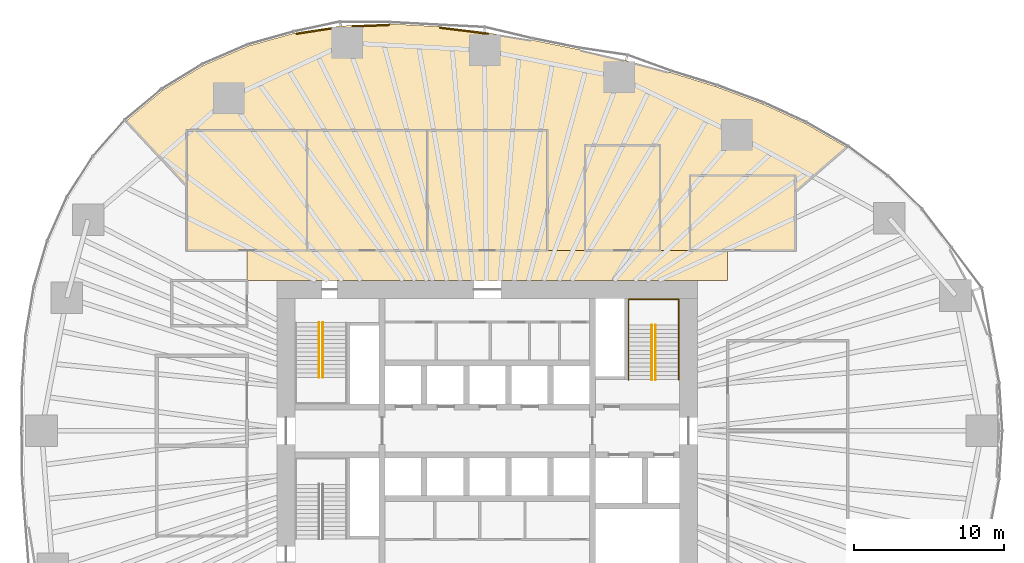
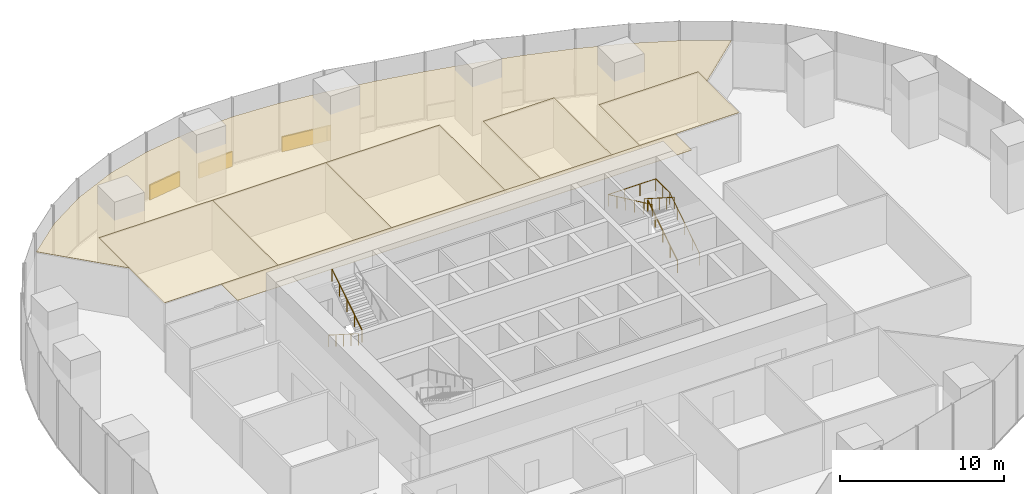
# One storey, part 19 of 20: 11 coverings, 5 railings.
"""IFC4 building model written with IfcOpenShell, lengths in metres."""

from ifc_helpers import new_model, si_unit, direction, frame, origin, origin_2d, place, context, subcontext, project, spatial, polyline, rectangle, circle, outline, extrude, material, layer, layer_set, type_object, element, save


model = new_model("IFC4")

# Units and contexts
model_context = context("Model", 3, precision=1e-05, world=origin(), true_north=direction((0.0, 1.0)))
body_context = subcontext(model_context, "Body", "Model", "MODEL_VIEW")
ifc_project = project(units=[si_unit("LENGTHUNIT", "METRE"), si_unit("AREAUNIT", "SQUARE_METRE"), si_unit("VOLUMEUNIT", "CUBIC_METRE"), si_unit("PLANEANGLEUNIT", "RADIAN"), si_unit("MASSUNIT", "GRAM", prefix="KILO")], contexts=[model_context])

# Site, building, storey
site_placement = place(None, origin())
site = spatial("IfcSite", under=ifc_project, at=site_placement, CompositionType="ELEMENT")
building_placement = place(site_placement, origin())
building = spatial("IfcBuilding", under=site, at=building_placement, Name="Ghaith Harvest Tower", CompositionType="ELEMENT")
storey_placement = place(building_placement, frame((0.0, 0.0, 35.0)))
storey = spatial("IfcBuildingStorey", under=building, at=storey_placement, Name="L07", CompositionType="ELEMENT", Elevation=35.0)

# Coverings
ifc_material_1 = material(Name="Mineral fibre ceiling tile", Category="gypsum")
ifc_layer_1 = layer(ifc_material_1, 0.02490234375)
ifc_layer_set_1 = layer_set([ifc_layer_1], Name="CEILING C2")
covering_type_1 = type_object("IfcCoveringType", Name="CEILING C2", PredefinedType="CEILING", material=ifc_layer_set_1)
covering_1_placement = place(storey_placement, frame((0.0, 0.0, 3.60009765625)))
element("IfcCovering", 1, at=covering_1_placement, inside=storey, type_object=covering_type_1, Name="Ceiling L07-01", PredefinedType="CEILING", context=body_context, shape_type="SweptSolid", body=[
    extrude(outline(polyline([(-20.0, 12.0), (-12.0, 12.0), (-12.0, 20.0), (-20.0, 20.0), (-20.0, 12.0)])), origin(), (0.0, 0.0, 1.0), 0.02490234375),
])
covering_2_placement = place(storey_placement, frame((0.0, 0.0, 3.60009765625)))
element("IfcCovering", 2, at=covering_2_placement, inside=storey, type_object=covering_type_1, Name="Ceiling L07-02", PredefinedType="CEILING", context=body_context, shape_type="SweptSolid", body=[
    extrude(outline(polyline([(-12.0, 12.0), (-4.0, 12.0), (-4.0, 20.0), (-12.0, 20.0), (-12.0, 12.0)])), origin(), (0.0, 0.0, 1.0), 0.02490234375),
])
covering_3_placement = place(storey_placement, frame((0.0, 0.0, 3.60009765625)))
element("IfcCovering", 3, at=covering_3_placement, inside=storey, type_object=covering_type_1, Name="Ceiling L07-03", PredefinedType="CEILING", context=body_context, shape_type="SweptSolid", body=[
    extrude(outline(polyline([(-4.0, 12.0), (4.0, 12.0), (4.0, 20.0), (-4.0, 20.0), (-4.0, 12.0)])), origin(), (0.0, 0.0, 1.0), 0.02490234375),
])
covering_4_placement = place(storey_placement, frame((0.0, 0.0, 3.60009765625)))
element("IfcCovering", 4, at=covering_4_placement, inside=storey, type_object=covering_type_1, Name="Ceiling L07-04", PredefinedType="CEILING", context=body_context, shape_type="SweptSolid", body=[
    extrude(outline(polyline([(6.5, 12.0), (11.5, 12.0), (11.5, 19.0), (6.5, 19.0), (6.5, 12.0)])), origin(), (0.0, 0.0, 1.0), 0.02490234375),
])
covering_5_placement = place(storey_placement, frame((0.0, 0.0, 3.60009765625)))
element("IfcCovering", 5, at=covering_5_placement, inside=storey, type_object=covering_type_1, Name="Ceiling L07-14", PredefinedType="CEILING", context=body_context, shape_type="SweptSolid", body=[
    extrude(outline(polyline([(13.5, 12.0), (20.5, 12.0), (20.5, 17.0), (13.5, 17.0), (13.5, 12.0)])), origin(), (0.0, 0.0, 1.0), 0.02490234375),
])
covering_6_placement = place(storey_placement, frame((0.0, 0.0, 3.60009765625)))
element("IfcCovering", 6, at=covering_6_placement, inside=storey, type_object=covering_type_1, Name="Ceiling L07-C1", PredefinedType="CEILING", context=body_context, shape_type="SweptSolid", body=[
    extrude(outline(polyline([(16.0, 10.0), (-16.0, 10.0), (-16.0, 12.0), (16.0, 12.0), (16.0, 10.0)])), origin(), (0.0, 0.0, 1.0), 0.02490234375),
])
covering_7_placement = place(storey_placement, frame((0.0, 0.0, 3.60009765625)))
element("IfcCovering", 7, at=covering_7_placement, inside=storey, type_object=covering_type_1, Name="Ceiling L07-N1", PredefinedType="CEILING", context=body_context, shape_type="SweptSolid", body=[
    extrude(outline(polyline([(-21.59912109375, 22.671142578125), (-18.8935546875, 24.32763671875), (-15.907958984375, 25.614501953125), (-12.828125, 26.476806640625), (-9.733642578125, 26.949951171875), (-6.4375, 27.0849609375), (-3.24755859375, 26.91064453125), (-0.181396484375, 26.527099609375), (2.99560546875, 26.004150390625), (6.10888671875, 25.378662109375), (9.21533203125, 24.65087890625), (12.1796875, 23.857666015625), (15.22119140625, 22.916259765625), (18.34521484375, 21.7548828125), (21.149169921875, 20.469482421875), (23.92431640625, 18.873046875), (20.5, 15.903076171875), (20.5, 17.0), (13.5, 17.0), (13.5, 12.0), (11.5, 12.0), (11.5, 19.0), (6.5, 19.0), (6.5, 12.0), (4.0, 12.0), (4.0, 20.0), (-20.0, 20.0), (-20.0, 16.283203125), (-24.04833984375, 20.618408203125), (-21.59912109375, 22.671142578125)])), origin(), (0.0, 0.0, 1.0), 0.02490234375),
])

# Railings
ifc_material_2 = material(Name="Steel, black powder-coated", Category="steel")
railing_type = type_object("IfcRailingType", Name="HANDRAIL HR1", PredefinedType="HANDRAIL", material=ifc_material_2)
railing_1_placement = place(storey_placement, frame((-11.199951171875, 7.199951171875, 0.178466796875)))
element("IfcRailing", 8, at=railing_1_placement, inside=storey, type_object=railing_type, Name="Handrail HR1 stair ST1 L07 flight 1 inner", PredefinedType="HANDRAIL", context=body_context, shape_type="SweptSolid", body=[
    extrude(circle(Radius=0.02392578125, at=origin_2d()), frame((0.0, 0.0, 0.8759765625), z_axis=(0.0, -0.843111507901, 0.53773877045), x_axis=(1.0, 0.0, 0.0)), (0.0, 0.0, 1.0), 4.317138671875),
    extrude(circle(Radius=0.02099609375, at=origin_2d()), origin(), (0.0, 0.0, 1.0), 0.851806640625),
    extrude(circle(Radius=0.02099609375, at=origin_2d()), frame((0.0, -0.909912109375, 0.580322265625)), (0.0, 0.0, 1.0), 0.851806640625),
    extrude(circle(Radius=0.02099609375, at=origin_2d()), frame((0.0, -1.81982421875, 1.16064453125)), (0.0, 0.0, 1.0), 0.851806640625),
    extrude(circle(Radius=0.02099609375, at=origin_2d()), frame((0.0, -2.72998046875, 1.7412109375)), (0.0, 0.0, 1.0), 0.851806640625),
    extrude(circle(Radius=0.02099609375, at=origin_2d()), frame((0.0, -3.639892578125, 2.321533203125)), (0.0, 0.0, 1.0), 0.851806640625),
])
railing_2_placement = place(storey_placement, frame((-10.949951171875, 3.56005859375, 2.678466796875)))
element("IfcRailing", 9, at=railing_2_placement, inside=storey, type_object=railing_type, Name="Handrail HR1 stair ST1 L07 flight 2 inner", PredefinedType="HANDRAIL", context=body_context, shape_type="SweptSolid", body=[
    extrude(circle(Radius=0.02392578125, at=origin_2d()), frame((0.0, 0.0, 0.8759765625), z_axis=(0.0, 0.843111507901, 0.53773877045), x_axis=(-1.0, 0.0, 0.0)), (0.0, 0.0, 1.0), 4.317138671875),
    extrude(circle(Radius=0.02099609375, at=origin_2d()), origin(), (0.0, 0.0, 1.0), 0.851806640625),
    extrude(circle(Radius=0.02099609375, at=origin_2d()), frame((0.0, 0.909912109375, 0.580322265625)), (0.0, 0.0, 1.0), 0.851806640625),
    extrude(circle(Radius=0.02099609375, at=origin_2d()), frame((0.0, 1.81982421875, 1.16064453125)), (0.0, 0.0, 1.0), 0.851806640625),
    extrude(circle(Radius=0.02099609375, at=origin_2d()), frame((0.0, 2.72998046875, 1.7412109375)), (0.0, 0.0, 1.0), 0.851806640625),
    extrude(circle(Radius=0.02099609375, at=origin_2d()), frame((0.0, 3.639892578125, 2.321533203125)), (0.0, 0.0, 1.0), 0.851806640625),
])
railing_3_placement = place(storey_placement, frame((11.199951171875, 3.39990234375, 0.178466796875)))
element("IfcRailing", 10, at=railing_3_placement, inside=storey, type_object=railing_type, Name="Handrail HR1 stair ST2 L07 flight 1 inner", PredefinedType="HANDRAIL", context=body_context, shape_type="SweptSolid", body=[
    extrude(circle(Radius=0.02392578125, at=origin_2d()), frame((0.0, 0.0, 0.8759765625), z_axis=(0.0, 0.843127859045, 0.537713132908), x_axis=(-1.0, 0.0, 0.0)), (0.0, 0.0, 1.0), 4.3173828125),
    extrude(circle(Radius=0.02099609375, at=origin_2d()), origin(), (0.0, 0.0, 1.0), 0.851806640625),
    extrude(circle(Radius=0.02099609375, at=origin_2d()), frame((0.0, 0.91015625, 0.580322265625)), (0.0, 0.0, 1.0), 0.851806640625),
    extrude(circle(Radius=0.02099609375, at=origin_2d()), frame((0.0, 1.820068359375, 1.16064453125)), (0.0, 0.0, 1.0), 0.851806640625),
    extrude(circle(Radius=0.02099609375, at=origin_2d()), frame((0.0, 2.72998046875, 1.7412109375)), (0.0, 0.0, 1.0), 0.851806640625),
    extrude(circle(Radius=0.02099609375, at=origin_2d()), frame((0.0, 3.64013671875, 2.321533203125)), (0.0, 0.0, 1.0), 0.851806640625),
])
railing_4_placement = place(storey_placement, frame((10.949951171875, 7.0400390625, 2.678466796875)))
element("IfcRailing", 11, at=railing_4_placement, inside=storey, type_object=railing_type, Name="Handrail HR1 stair ST2 L07 flight 2 inner", PredefinedType="HANDRAIL", context=body_context, shape_type="SweptSolid", body=[
    extrude(circle(Radius=0.02392578125, at=origin_2d()), frame((0.0, 0.0, 0.8759765625), z_axis=(0.0, -0.843127859045, 0.537713132908), x_axis=(1.0, 0.0, 0.0)), (0.0, 0.0, 1.0), 4.3173828125),
    extrude(circle(Radius=0.02099609375, at=origin_2d()), origin(), (0.0, 0.0, 1.0), 0.851806640625),
    extrude(circle(Radius=0.02099609375, at=origin_2d()), frame((0.0, -0.91015625, 0.580322265625)), (0.0, 0.0, 1.0), 0.851806640625),
    extrude(circle(Radius=0.02099609375, at=origin_2d()), frame((0.0, -1.820068359375, 1.16064453125)), (0.0, 0.0, 1.0), 0.851806640625),
    extrude(circle(Radius=0.02099609375, at=origin_2d()), frame((0.0, -2.72998046875, 1.7412109375)), (0.0, 0.0, 1.0), 0.851806640625),
    extrude(circle(Radius=0.02099609375, at=origin_2d()), frame((0.0, -3.64013671875, 2.321533203125)), (0.0, 0.0, 1.0), 0.851806640625),
])
railing_5_placement = place(storey_placement, frame((12.75, 3.39990234375, 0.178466796875)))
element("IfcRailing", 12, at=railing_5_placement, inside=storey, type_object=railing_type, Name="Handrail HR1 stair ST2 L07 wall side", PredefinedType="HANDRAIL", context=body_context, shape_type="SweptSolid", body=[
    extrude(circle(Radius=0.02392578125, at=origin_2d()), frame((0.0, 0.0, 0.8759765625), z_axis=(0.0, 0.843127859045, 0.537713132908), x_axis=(-1.0, 0.0, 0.0)), (0.0, 0.0, 1.0), 4.3173828125),
    extrude(circle(Radius=0.02392578125, at=origin_2d()), frame((0.0, 3.64013671875, 3.197265625), z_axis=(0.0, 1.0, 0.0), x_axis=(-1.0, 0.0, 0.0)), (0.0, 0.0, 1.0), 1.7099609375),
    extrude(circle(Radius=0.02392578125, at=origin_2d()), frame((0.0, 5.35009765625, 3.197265625), z_axis=(-1.0, 0.0, 0.0), x_axis=(0.0, -1.0, 0.0)), (0.0, 0.0, 1.0), 3.35009765625),
    extrude(circle(Radius=0.02392578125, at=origin_2d()), frame((-3.35009765625, 5.35009765625, 3.197265625), z_axis=(0.0, -0.905969675553, 0.423342588193), x_axis=(1.0, 0.0, 0.0)), (0.0, 0.0, 1.0), 5.9052734375),
    extrude(circle(Radius=0.02099609375, at=origin_2d()), origin(), (0.0, 0.0, 1.0), 0.851806640625),
    extrude(circle(Radius=0.02099609375, at=origin_2d()), frame((0.0, 0.91015625, 0.580322265625)), (0.0, 0.0, 1.0), 0.851806640625),
    extrude(circle(Radius=0.02099609375, at=origin_2d()), frame((0.0, 1.820068359375, 1.16064453125)), (0.0, 0.0, 1.0), 0.851806640625),
    extrude(circle(Radius=0.02099609375, at=origin_2d()), frame((0.0, 2.72998046875, 1.7412109375)), (0.0, 0.0, 1.0), 0.851806640625),
    extrude(circle(Radius=0.02099609375, at=origin_2d()), frame((0.0, 3.64013671875, 2.321533203125)), (0.0, 0.0, 1.0), 0.851806640625),
    extrude(circle(Radius=0.02099609375, at=origin_2d()), frame((0.0, 4.4951171875, 2.321533203125)), (0.0, 0.0, 1.0), 0.851806640625),
    extrude(circle(Radius=0.02099609375, at=origin_2d()), frame((0.0, 5.35009765625, 2.321533203125)), (0.0, 0.0, 1.0), 0.851806640625),
    extrude(circle(Radius=0.02099609375, at=origin_2d()), frame((-1.11669921875, 5.35009765625, 2.321533203125)), (0.0, 0.0, 1.0), 0.851806640625),
    extrude(circle(Radius=0.02099609375, at=origin_2d()), frame((-2.2333984375, 5.35009765625, 2.321533203125)), (0.0, 0.0, 1.0), 0.851806640625),
    extrude(circle(Radius=0.02099609375, at=origin_2d()), frame((-3.35009765625, 5.35009765625, 2.321533203125)), (0.0, 0.0, 1.0), 0.851806640625),
    extrude(circle(Radius=0.02099609375, at=origin_2d()), frame((-3.35009765625, 4.280029296875, 2.821533203125)), (0.0, 0.0, 1.0), 0.851806640625),
    extrude(circle(Radius=0.02099609375, at=origin_2d()), frame((-3.35009765625, 3.2099609375, 3.321533203125)), (0.0, 0.0, 1.0), 0.851806640625),
    extrude(circle(Radius=0.02099609375, at=origin_2d()), frame((-3.35009765625, 2.14013671875, 3.821533203125)), (0.0, 0.0, 1.0), 0.851806640625),
    extrude(circle(Radius=0.02099609375, at=origin_2d()), frame((-3.35009765625, 1.070068359375, 4.321533203125)), (0.0, 0.0, 1.0), 0.851806640625),
    extrude(circle(Radius=0.02099609375, at=origin_2d()), frame((-3.35009765625, 0.0, 4.821533203125)), (0.0, 0.0, 1.0), 0.851806640625),
])

# Coverings
ifc_material_3 = material(Name="Insulated aluminium spandrel panel on steel framing", Category="steel")
ifc_layer_2 = layer(ifc_material_3, 0.10009765625)
ifc_layer_set_2 = layer_set([ifc_layer_2], Name="SLAB EDGE UPSTAND 1100x100")
covering_type_2 = type_object("IfcCoveringType", Name="SLAB EDGE UPSTAND 1100x100", PredefinedType="CLADDING", material=ifc_layer_set_2)
covering_8_placement = place(storey_placement, frame((-0.063720703125, 26.45703125, 0.0), z_axis=(0.0, 0.0, 1.0), x_axis=(-0.986716247541, 0.162453214305, 0.0)))
element("IfcCovering", 13, at=covering_8_placement, inside=storey, type_object=covering_type_2, Name="Slab edge upstand 3 bay 05 L07", PredefinedType="CLADDING", context=body_context, shape_type="SweptSolid", body=[
    extrude(rectangle(XDim=0.255126953125, YDim=0.10009765625, at=origin_2d()), origin(), (0.0, 0.0, 1.0), 1.10009765625),
])
covering_9_placement = place(storey_placement, frame((-1.671142578125, 26.6630859375, 0.0), z_axis=(0.0, 0.0, 1.0), x_axis=(-0.99226486887, 0.124138753038, 0.0)))
element("IfcCovering", 14, at=covering_9_placement, inside=storey, type_object=covering_type_2, Name="Slab edge upstand 1 bay 06 L07", PredefinedType="CLADDING", context=body_context, shape_type="SweptSolid", body=[
    extrude(rectangle(XDim=2.98974609375, YDim=0.10009765625, at=origin_2d()), origin(), (0.0, 0.0, 1.0), 1.10009765625),
])
covering_10_placement = place(storey_placement, frame((-7.75537109375, 26.98095703125, 0.0), z_axis=(0.0, 0.0, 1.0), x_axis=(-0.999160890982, -0.040957464901, 0.0)))
element("IfcCovering", 15, at=covering_10_placement, inside=storey, type_object=covering_type_2, Name="Slab edge upstand 3 bay 06 L07", PredefinedType="CLADDING", context=body_context, shape_type="SweptSolid", body=[
    extrude(rectangle(XDim=2.44189453125, YDim=0.10009765625, at=origin_2d()), origin(), (0.0, 0.0, 1.0), 1.10009765625),
])
covering_11_placement = place(storey_placement, frame((-11.5576171875, 26.62060546875, 0.0), z_axis=(0.0, 0.0, 1.0), x_axis=(-0.988517924816, -0.1511036476, 0.0)))
element("IfcCovering", 16, at=covering_11_placement, inside=storey, type_object=covering_type_2, Name="Slab edge upstand 1 bay 07 L07", PredefinedType="CLADDING", context=body_context, shape_type="SweptSolid", body=[
    extrude(rectangle(XDim=2.355224609375, YDim=0.10009765625, at=origin_2d()), origin(), (0.0, 0.0, 1.0), 1.10009765625),
])

save(model, "model.ifc")
